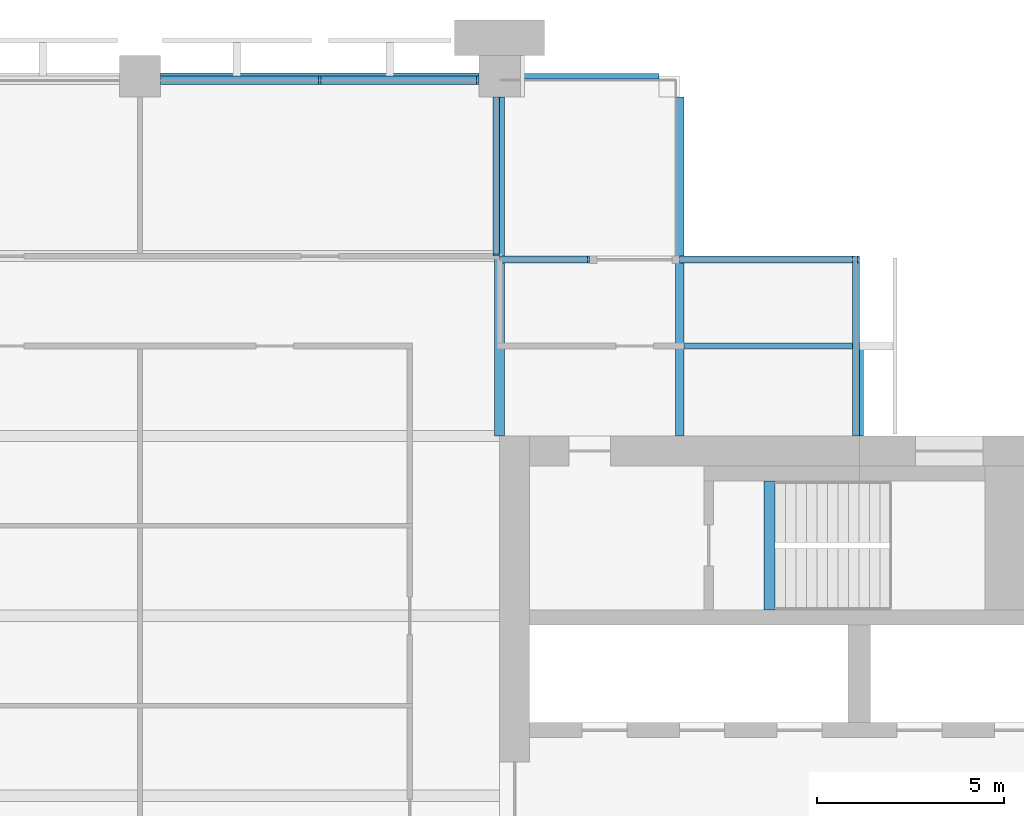
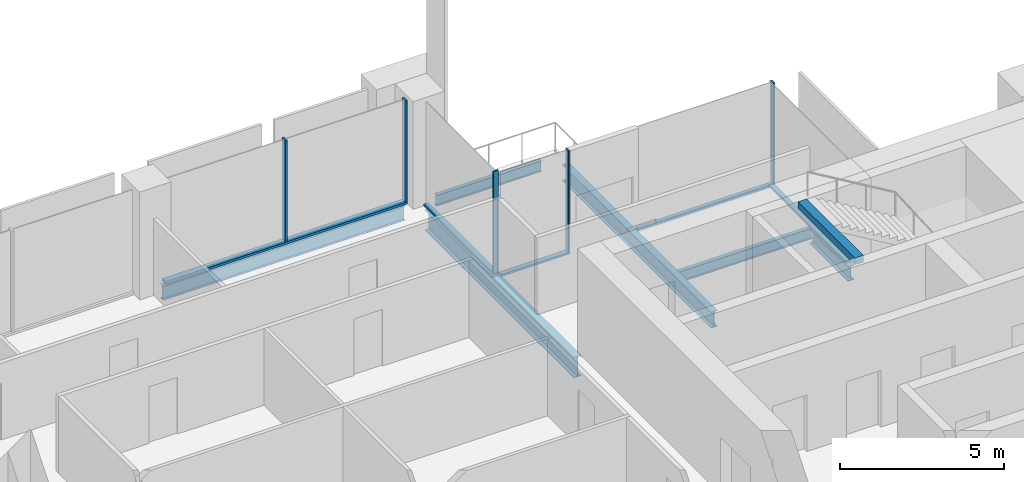
# One storey, part 6 of 13: 10 members, 7 beams, 5 elements without a shape of their own.
"""IFC4 building model written with IfcOpenShell, lengths in metres."""

from ifc_helpers import new_model, si_unit, direction, frame, origin, origin_2d, place, context, subcontext, project, spatial, rectangle, i_section, extrude, material, material_profile, profile_set, type_object, element, aggregate, save


model = new_model("IFC4")

# Units and contexts
model_context = context("Model", 3, precision=1e-05, world=origin(), true_north=direction((0.0, 1.0)))
body_context = subcontext(model_context, "Body", "Model", "MODEL_VIEW")
ifc_project = project(units=[si_unit("LENGTHUNIT", "METRE"), si_unit("AREAUNIT", "SQUARE_METRE"), si_unit("VOLUMEUNIT", "CUBIC_METRE"), si_unit("PLANEANGLEUNIT", "RADIAN"), si_unit("MASSUNIT", "GRAM", prefix="KILO")], contexts=[model_context])

# Site, building, storey
site_placement = place(None, origin())
site = spatial("IfcSite", under=ifc_project, at=site_placement, CompositionType="ELEMENT")
building_placement = place(site_placement, origin())
building = spatial("IfcBuilding", under=site, at=building_placement, Name="Baori Bourse Tower", CompositionType="ELEMENT")
storey_placement = place(building_placement, frame((0.0, 0.0, 205.199951171875)))
storey = spatial("IfcBuildingStorey", under=building, at=storey_placement, Name="L44", CompositionType="ELEMENT", Elevation=205.199951171875)

# Curtain wall, member
ifc_material_1 = material(Name="Pale anodised aluminium", Category="aluminium")
curtain_wall_type_1 = type_object("IfcCurtainWallType", Name="CW2 Curtain wall", PredefinedType="NOTDEFINED", material=ifc_material_1)
curtain_wall_1_placement = place(storey_placement, origin())
curtain_wall_1 = element("IfcCurtainWall", 1, at=curtain_wall_1_placement, inside=storey, type_object=curtain_wall_type_1, Name="Curtain wall CW2 L44 2", PredefinedType="NOTDEFINED")
ifc_material_2 = material(Name="Pale anodised aluminium", Category="aluminium")
ifc_material_profile_1 = material_profile(ifc_material_2, rectangle(XDim=0.179931640625, YDim=0.054931640625, at=origin_2d()), Name="Mullion 55x180")
ifc_profile_set_1 = profile_set([ifc_material_profile_1], Name="Pale anodised aluminium")
member_type_1 = type_object("IfcMemberType", Name="CW2 Curtain wall mullion", PredefinedType="MULLION", material=ifc_profile_set_1)
member_1_placement = place(storey_placement, frame((47.972412109375, 43.110107421875, 0.070068359375), z_axis=(0.0, 0.0, 1.0), x_axis=(0.0, -1.0, 0.0)))
member_1 = element("IfcMember", 2, at=member_1_placement, type_object=member_type_1, Name="Curtain wall CW2 mullion", PredefinedType="MULLION", context=body_context, shape_type="SweptSolid", body=[
    extrude(rectangle(XDim=0.179931640625, YDim=0.054931640625, at=origin_2d()), origin(), (0.0, 0.0, 1.0), 3.77001953125),
])

curtain_wall_2_placement = place(storey_placement, origin())
curtain_wall_2 = element("IfcCurtainWall", 3, at=curtain_wall_2_placement, inside=storey, type_object=curtain_wall_type_1, Name="Curtain wall CW2 L44 3", PredefinedType="NOTDEFINED")
member_2_placement = place(storey_placement, frame((40.7724609375, 43.110107421875, 0.070068359375), z_axis=(0.0, 0.0, 1.0), x_axis=(0.0, -1.0, 0.0)))
member_2 = element("IfcMember", 4, at=member_2_placement, type_object=member_type_1, Name="Curtain wall CW2 mullion", PredefinedType="MULLION", context=body_context, shape_type="SweptSolid", body=[
    extrude(rectangle(XDim=0.179931640625, YDim=0.054931640625, at=origin_2d()), origin(), (0.0, 0.0, 1.0), 3.77001953125),
])

curtain_wall_3_placement = place(storey_placement, origin())
curtain_wall_3 = element("IfcCurtainWall", 5, at=curtain_wall_3_placement, inside=storey, type_object=curtain_wall_type_1, Name="Curtain wall CW2 L44 4", PredefinedType="NOTDEFINED")
member_3_placement = place(storey_placement, frame((38.31005859375, 43.2275390625, 0.070068359375), z_axis=(0.0, 0.0, 1.0), x_axis=(-1.0, 0.0, 0.0)))
member_3 = element("IfcMember", 6, at=member_3_placement, type_object=member_type_1, Name="Curtain wall CW2 mullion", PredefinedType="MULLION", context=body_context, shape_type="SweptSolid", body=[
    extrude(rectangle(XDim=0.179931640625, YDim=0.054931640625, at=origin_2d()), origin(), (0.0, 0.0, 1.0), 3.77001953125),
])

curtain_wall_4_placement = place(storey_placement, origin())
curtain_wall_4 = element("IfcCurtainWall", 7, at=curtain_wall_4_placement, inside=storey, type_object=curtain_wall_type_1, Name="Curtain wall CW2 L44 1", PredefinedType="NOTDEFINED")
ifc_material_3 = material(Name="Pale anodised aluminium", Category="aluminium")
ifc_material_profile_2 = material_profile(ifc_material_3, rectangle(XDim=0.179931640625, YDim=0.070068359375, at=origin_2d()), Name="Transom 70x180")
ifc_profile_set_2 = profile_set([ifc_material_profile_2], Name="Pale anodised aluminium")
member_type_2 = type_object("IfcMemberType", Name="CW2 Curtain wall transom", PredefinedType="USERDEFINED", material=ifc_profile_set_2)
member_4_placement = place(storey_placement, frame((47.909912109375, 38.39990234375, 0.03515625), z_axis=(0.0, 1.0, 0.0), x_axis=(-1.0, 0.0, 0.0)))
member_4 = element("IfcMember", 8, at=member_4_placement, type_object=member_type_2, Name="Curtain wall CW2 sill rail", ObjectType="TRANSOM", PredefinedType="USERDEFINED", context=body_context, shape_type="SweptSolid", body=[
    extrude(rectangle(XDim=0.179931640625, YDim=0.070068359375, at=origin_2d()), origin(), (0.0, 0.0, 1.0), 4.800048828125),
])
aggregate(curtain_wall_4, [member_4])

# Member
member_5_placement = place(storey_placement, frame((48.0, 43.110107421875, 0.03515625), z_axis=(-1.0, 0.0, 0.0), x_axis=(0.0, -1.0, 0.0)))
member_5 = element("IfcMember", 9, at=member_5_placement, type_object=member_type_2, Name="Curtain wall CW2 sill rail", ObjectType="TRANSOM", PredefinedType="USERDEFINED", context=body_context, shape_type="SweptSolid", body=[
    extrude(rectangle(XDim=0.179931640625, YDim=0.070068359375, at=origin_2d()), origin(), (0.0, 0.0, 1.0), 4.800048828125),
])

aggregate(curtain_wall_1, [member_5, member_1])

member_6_placement = place(storey_placement, frame((40.800048828125, 43.110107421875, 0.03515625), z_axis=(-1.0, 0.0, 0.0), x_axis=(0.0, -1.0, 0.0)))
member_6 = element("IfcMember", 10, at=member_6_placement, type_object=member_type_2, Name="Curtain wall CW2 sill rail", ObjectType="TRANSOM", PredefinedType="USERDEFINED", context=body_context, shape_type="SweptSolid", body=[
    extrude(rectangle(XDim=0.179931640625, YDim=0.070068359375, at=origin_2d()), origin(), (0.0, 0.0, 1.0), 2.400146484375),
])

aggregate(curtain_wall_2, [member_6, member_2])

member_7_placement = place(storey_placement, frame((38.31005859375, 43.199951171875, 0.03515625), z_axis=(0.0, 1.0, 0.0), x_axis=(-1.0, 0.0, 0.0)))
member_7 = element("IfcMember", 11, at=member_7_placement, type_object=member_type_2, Name="Curtain wall CW2 sill rail", ObjectType="TRANSOM", PredefinedType="USERDEFINED", context=body_context, shape_type="SweptSolid", body=[
    extrude(rectangle(XDim=0.179931640625, YDim=0.070068359375, at=origin_2d()), origin(), (0.0, 0.0, 1.0), 4.25),
])

aggregate(curtain_wall_3, [member_7, member_3])

# Curtain wall, members
ifc_material_4 = material(Name="Pale anodised aluminium", Category="aluminium")
curtain_wall_type_2 = type_object("IfcCurtainWallType", Name="CW5 Curtain wall", PredefinedType="NOTDEFINED", material=ifc_material_4)
curtain_wall_5_placement = place(storey_placement, origin())
curtain_wall_5 = element("IfcCurtainWall", 12, at=curtain_wall_5_placement, inside=storey, type_object=curtain_wall_type_2, Name="Curtain wall CW5 L44 5", PredefinedType="NOTDEFINED")
ifc_material_5 = material(Name="Pale anodised aluminium", Category="aluminium")
ifc_material_profile_3 = material_profile(ifc_material_5, rectangle(XDim=0.219970703125, YDim=0.06494140625, at=origin_2d()), Name="Mullion 65x220")
ifc_profile_set_3 = profile_set([ifc_material_profile_3], Name="Pale anodised aluminium")
member_type_3 = type_object("IfcMemberType", Name="CW5 Curtain wall mullion", PredefinedType="MULLION", material=ifc_profile_set_3)
member_8_placement = place(storey_placement, frame((37.8173828125, 47.889892578125, 0.0849609375), z_axis=(0.0, 0.0, 1.0), x_axis=(0.0, -1.0, 0.0)))
member_8 = element("IfcMember", 13, at=member_8_placement, type_object=member_type_3, Name="Curtain wall CW5 mullion", PredefinedType="MULLION", context=body_context, shape_type="SweptSolid", body=[
    extrude(rectangle(XDim=0.219970703125, YDim=0.06494140625, at=origin_2d()), origin(), (0.0, 0.0, 1.0), 3.755126953125),
])
member_9_placement = place(storey_placement, frame((33.60009765625, 47.889892578125, 0.0849609375), z_axis=(0.0, 0.0, 1.0), x_axis=(0.0, -1.0, 0.0)))
member_9 = element("IfcMember", 14, at=member_9_placement, type_object=member_type_3, Name="Curtain wall CW5 mullion", PredefinedType="MULLION", context=body_context, shape_type="SweptSolid", body=[
    extrude(rectangle(XDim=0.219970703125, YDim=0.06494140625, at=origin_2d()), origin(), (0.0, 0.0, 1.0), 3.755126953125),
])
ifc_material_6 = material(Name="Pale anodised aluminium", Category="aluminium")
ifc_material_profile_4 = material_profile(ifc_material_6, rectangle(XDim=0.219970703125, YDim=0.0849609375, at=origin_2d()), Name="Transom 85x220")
ifc_profile_set_4 = profile_set([ifc_material_profile_4], Name="Pale anodised aluminium")
member_type_4 = type_object("IfcMemberType", Name="CW5 Curtain wall transom", PredefinedType="USERDEFINED", material=ifc_profile_set_4)
member_10_placement = place(storey_placement, frame((37.85009765625, 47.889892578125, 0.04248046875), z_axis=(-1.0, 0.0, 0.0), x_axis=(0.0, -1.0, 0.0)))
member_10 = element("IfcMember", 15, at=member_10_placement, type_object=member_type_4, Name="Curtain wall CW5 sill rail", ObjectType="TRANSOM", PredefinedType="USERDEFINED", context=body_context, shape_type="SweptSolid", body=[
    extrude(rectangle(XDim=0.219970703125, YDim=0.0849609375, at=origin_2d()), origin(), (0.0, 0.0, 1.0), 8.5),
])
aggregate(curtain_wall_5, [member_10, member_8, member_9])

# Beams
ifc_material_7 = material(Name="Steel A992 Gr 50", Category="steel")
ifc_material_profile_5 = material_profile(ifc_material_7, i_section(OverallWidth=0.21240234375, OverallDepth=0.54345703125, WebThickness=0.01318359375, FlangeThickness=0.021240234375, at=origin_2d()), Name="W21x83")
ifc_profile_set_5 = profile_set([ifc_material_profile_5], Name="Steel A992 Gr 50")
beam_type_1 = type_object("IfcBeamType", Name="Core bracket W21x83", PredefinedType="BEAM", material=ifc_profile_set_5)
beam_1_placement = place(storey_placement, frame((48.0, 38.39990234375, -0.431640625), z_axis=(0.0, 1.0, 0.0), x_axis=(-1.0, 0.0, 0.0)))
element("IfcBeam", 16, at=beam_1_placement, inside=storey, type_object=beam_type_1, Name="Core bracket L44", PredefinedType="BEAM", context=body_context, shape_type="SweptSolid", body=[
    extrude(i_section(OverallWidth=0.21240234375, OverallDepth=0.54345703125, WebThickness=0.01318359375, FlangeThickness=0.021240234375, at=origin_2d()), origin(), (0.0, 0.0, 1.0), 2.329833984375),
])
ifc_material_8 = material(Name="Steel A992 Gr 50", Category="steel")
ifc_material_profile_6 = material_profile(ifc_material_8, i_section(OverallWidth=0.140380859375, OverallDepth=0.40380859375, WebThickness=0.007080078125, FlangeThickness=0.01123046875, at=origin_2d()), Name="W16x31")
ifc_profile_set_6 = profile_set([ifc_material_profile_6], Name="Steel A992 Gr 50")
beam_type_2 = type_object("IfcBeamType", Name="Edge beam W16x31", PredefinedType="BEAM", material=ifc_profile_set_6)
beam_2_placement = place(storey_placement, frame((38.949951171875, 48.0, -0.36181640625), z_axis=(1.0, 0.0, 0.0), x_axis=(0.0, 1.0, 0.0)))
element("IfcBeam", 17, at=beam_2_placement, inside=storey, type_object=beam_type_2, Name="Edge beam L44", PredefinedType="BEAM", context=body_context, shape_type="SweptSolid", body=[
    extrude(i_section(OverallWidth=0.140380859375, OverallDepth=0.40380859375, WebThickness=0.007080078125, FlangeThickness=0.01123046875, at=origin_2d()), origin(), (0.0, 0.0, 1.0), 3.699951171875),
])
ifc_material_9 = material(Name="Steel A992 Gr 50", Category="steel")
ifc_material_profile_7 = material_profile(ifc_material_9, i_section(OverallWidth=0.1650390625, OverallDepth=0.52587890625, WebThickness=0.0087890625, FlangeThickness=0.011474609375, at=origin_2d()), Name="W21x44")
ifc_profile_set_7 = profile_set([ifc_material_profile_7], Name="Steel A992 Gr 50")
beam_type_3 = type_object("IfcBeamType", Name="Edge beam W21x44", PredefinedType="BEAM", material=ifc_profile_set_7)
beam_3_placement = place(storey_placement, frame((29.35009765625, 48.0, -0.4228515625), z_axis=(1.0, 0.0, 0.0), x_axis=(0.0, 1.0, 0.0)))
element("IfcBeam", 18, at=beam_3_placement, inside=storey, type_object=beam_type_3, Name="Edge beam L44", PredefinedType="BEAM", context=body_context, shape_type="SweptSolid", body=[
    extrude(i_section(OverallWidth=0.1650390625, OverallDepth=0.52587890625, WebThickness=0.0087890625, FlangeThickness=0.011474609375, at=origin_2d()), origin(), (0.0, 0.0, 1.0), 8.5),
])
ifc_material_10 = material(Name="Steel A992 Gr 50", Category="steel")
ifc_material_profile_8 = material_profile(ifc_material_10, i_section(OverallWidth=0.227783203125, OverallDepth=0.60205078125, WebThickness=0.010498046875, FlangeThickness=0.014892578125, at=origin_2d()), Name="W24x68")
ifc_profile_set_8 = profile_set([ifc_material_profile_8], Name="Steel A992 Gr 50")
beam_type_4 = type_object("IfcBeamType", Name="Floor beam W24x68", PredefinedType="BEAM", material=ifc_profile_set_8)
beam_4_placement = place(storey_placement, frame((43.199951171875, 38.39990234375, -0.4609375), z_axis=(0.0, 1.0, 0.0), x_axis=(-1.0, 0.0, 0.0)))
element("IfcBeam", 19, at=beam_4_placement, inside=storey, type_object=beam_type_4, Name="Floor beam L44", PredefinedType="BEAM", context=body_context, shape_type="SweptSolid", body=[
    extrude(i_section(OverallWidth=0.227783203125, OverallDepth=0.60205078125, WebThickness=0.010498046875, FlangeThickness=0.014892578125, at=origin_2d()), origin(), (0.0, 0.0, 1.0), 9.050048828125),
])
ifc_material_11 = material(Name="Steel A992 Gr 50", Category="steel")
ifc_material_profile_9 = material_profile(ifc_material_11, i_section(OverallWidth=0.2666015625, OverallDepth=0.7568359375, WebThickness=0.013916015625, FlangeThickness=0.019287109375, at=origin_2d()), Name="W30x108")
ifc_profile_set_9 = profile_set([ifc_material_profile_9], Name="Steel A992 Gr 50")
beam_type_5 = type_object("IfcBeamType", Name="Girder W30x108", PredefinedType="BEAM", material=ifc_profile_set_9)
beam_5_placement = place(storey_placement, frame((38.39990234375, 38.39990234375, -0.538330078125), z_axis=(0.0, 1.0, 0.0), x_axis=(-1.0, 0.0, 0.0)))
element("IfcBeam", 20, at=beam_5_placement, inside=storey, type_object=beam_type_5, Name="Girder L44", PredefinedType="BEAM", context=body_context, shape_type="SweptSolid", body=[
    extrude(i_section(OverallWidth=0.2666015625, OverallDepth=0.7568359375, WebThickness=0.013916015625, FlangeThickness=0.019287109375, at=origin_2d()), origin(), (0.0, 0.0, 1.0), 9.050048828125),
])
ifc_material_12 = material(Name="Concrete f'c 50 MPa", Category="concrete")
ifc_material_profile_10 = material_profile(ifc_material_12, rectangle(XDim=0.300048828125, YDim=0.25, at=origin_2d()), Name="RC 300x250")
ifc_profile_set_10 = profile_set([ifc_material_profile_10], Name="Concrete f'c 50 MPa")
beam_type_6 = type_object("IfcBeamType", Name="Stair nib beam RC 300x250", PredefinedType="BEAM", material=ifc_profile_set_10)
beam_6_placement = place(storey_placement, frame((45.60009765625, 33.75, 3.715087890625), z_axis=(0.0, 1.0, 0.0), x_axis=(-1.0, 0.0, 0.0)))
element("IfcBeam", 21, at=beam_6_placement, inside=storey, type_object=beam_type_6, Name="Stair EB nib beam L45", PredefinedType="BEAM", context=body_context, shape_type="SweptSolid", body=[
    extrude(rectangle(XDim=0.300048828125, YDim=0.25, at=origin_2d()), origin(), (0.0, 0.0, 1.0), 3.449951171875),
])
ifc_material_13 = material(Name="Steel A992 Gr 50", Category="steel")
ifc_material_profile_11 = material_profile(ifc_material_13, i_section(OverallWidth=0.140380859375, OverallDepth=0.40380859375, WebThickness=0.007080078125, FlangeThickness=0.01123046875, at=origin_2d()), Name="W16x31")
ifc_profile_set_11 = profile_set([ifc_material_profile_11], Name="Steel A992 Gr 50")
beam_type_7 = type_object("IfcBeamType", Name="Trimmer beam W16x31", PredefinedType="BEAM", material=ifc_profile_set_11)
beam_7_placement = place(storey_placement, frame((43.31396484375, 40.800048828125, -0.36181640625), z_axis=(1.0, 0.0, 0.0), x_axis=(0.0, 1.0, 0.0)))
element("IfcBeam", 22, at=beam_7_placement, inside=storey, type_object=beam_type_7, Name="Trimmer beam L44", PredefinedType="BEAM", context=body_context, shape_type="SweptSolid", body=[
    extrude(i_section(OverallWidth=0.140380859375, OverallDepth=0.40380859375, WebThickness=0.007080078125, FlangeThickness=0.01123046875, at=origin_2d()), origin(), (0.0, 0.0, 1.0), 4.68603515625),
])

save(model, "model.ifc")
